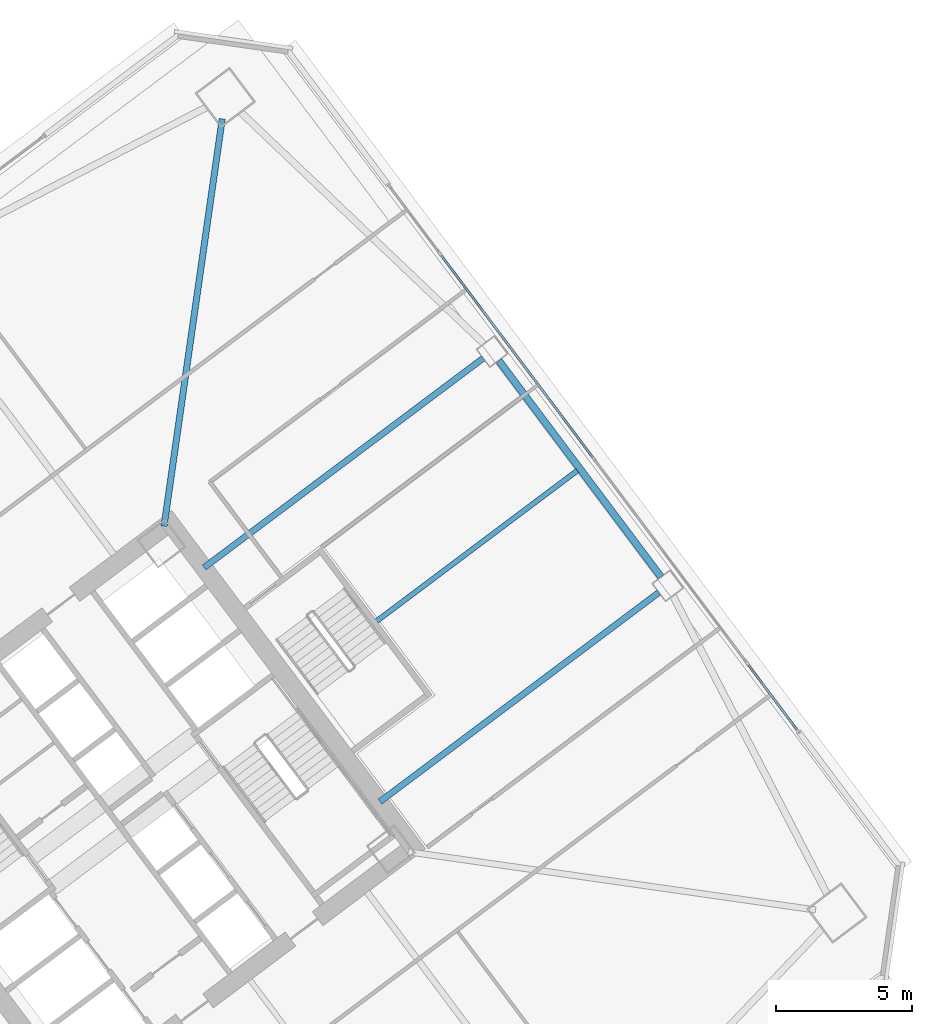
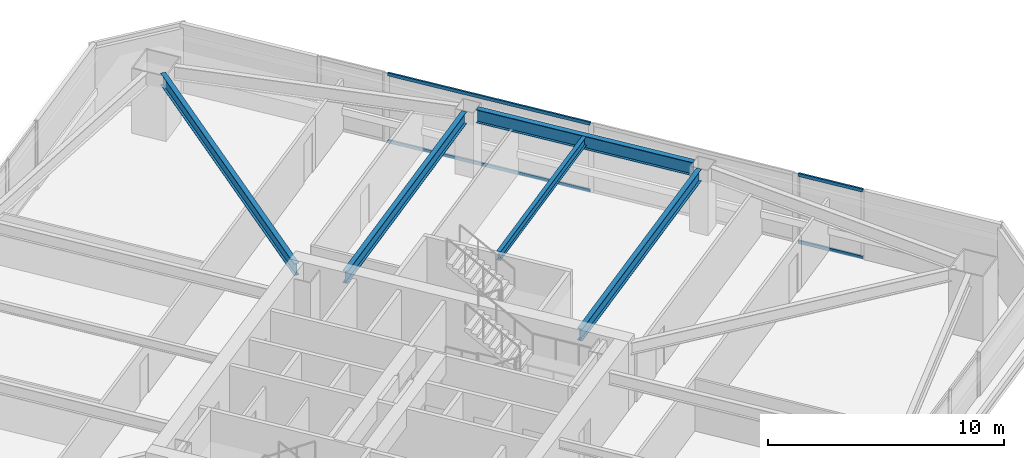
# One storey, part 32 of 48: 5 beams, 4 members, 2 elements without a shape of their own.
"""IFC4 building model written with IfcOpenShell, lengths in metres."""

from ifc_helpers import new_model, si_unit, direction, frame, origin, origin_2d, place, context, subcontext, project, spatial, hollow_rectangle, i_section, extrude, material, material_profile, profile_set, type_object, element, aggregate, save


model = new_model("IFC4")

# Units and contexts
model_context = context("Model", 3, precision=1e-05, world=origin(), true_north=direction((0.0, 1.0)))
body_context = subcontext(model_context, "Body", "Model", "MODEL_VIEW")
ifc_project = project(units=[si_unit("LENGTHUNIT", "METRE"), si_unit("AREAUNIT", "SQUARE_METRE"), si_unit("VOLUMEUNIT", "CUBIC_METRE"), si_unit("PLANEANGLEUNIT", "RADIAN"), si_unit("MASSUNIT", "GRAM", prefix="KILO")], contexts=[model_context])

# Site, building, storey
site_placement = place(None, origin())
site = spatial("IfcSite", under=ifc_project, at=site_placement, CompositionType="ELEMENT")
building_placement = place(site_placement, origin())
building = spatial("IfcBuilding", under=site, at=building_placement, Name="Tashvorn Skyway Center", CompositionType="ELEMENT")
storey_placement = place(building_placement, frame((0.0, 0.0, 56.550048828125)))
storey = spatial("IfcBuildingStorey", under=building, at=storey_placement, Name="L14", CompositionType="ELEMENT", Elevation=56.550048828125)

# Beams
ifc_material_1 = material(Name="Steel ASTM A992 Grade 50", Category="steel")
ifc_material_profile_1 = material_profile(ifc_material_1, i_section(OverallWidth=0.22998046875, OverallDepth=0.616943359375, WebThickness=0.01318359375, FlangeThickness=0.022216796875, at=origin_2d()), Name="W24X94")
ifc_profile_set_1 = profile_set([ifc_material_profile_1], Name="Steel ASTM A992 Grade 50")
beam_type_1 = type_object("IfcBeamType", Name="BM-BEAM-W24X94", PredefinedType="BEAM", material=ifc_profile_set_1)
beam_1_placement = place(storey_placement, frame((117.6474609375, 57.532958984375, 3.04150390625), z_axis=(-0.141414599991, -0.989950458816, 0.0), x_axis=(0.989950458816, -0.141414599991, 0.0)))
element("IfcBeam", 1, at=beam_1_placement, inside=storey, type_object=beam_type_1, Name="Tower 2 L14 Primary Floor Girder MC-NE", PredefinedType="BEAM", context=body_context, shape_type="SweptSolid", body=[
    extrude(i_section(OverallWidth=0.22998046875, OverallDepth=0.616943359375, WebThickness=0.01318359375, FlangeThickness=0.022216796875, at=origin_2d()), origin(), (0.0, 0.0, 1.0), 15.177001953125),
])
beam_2_placement = place(storey_placement, frame((133.743896484375, 40.05810546875, 3.04150390625), z_axis=(-0.799986320265, -0.600018239213, 0.0), x_axis=(0.600018239213, -0.799986320265, 0.0)))
element("IfcBeam", 2, at=beam_2_placement, inside=storey, type_object=beam_type_1, Name="Tower 2 L14 Primary Floor Girder FC-E1", PredefinedType="BEAM", context=body_context, shape_type="SweptSolid", body=[
    extrude(i_section(OverallWidth=0.22998046875, OverallDepth=0.616943359375, WebThickness=0.01318359375, FlangeThickness=0.022216796875, at=origin_2d()), origin(), (0.0, 0.0, 1.0), 12.849853515625),
])
beam_3_placement = place(storey_placement, frame((127.263916015625, 48.697998046875, 3.04150390625), z_axis=(-0.800002279907, -0.599996960112, 0.0), x_axis=(0.599996960112, -0.800002279907, 0.0)))
element("IfcBeam", 3, at=beam_3_placement, inside=storey, type_object=beam_type_1, Name="Tower 2 L14 Primary Floor Girder FC-E2", PredefinedType="BEAM", context=body_context, shape_type="SweptSolid", body=[
    extrude(i_section(OverallWidth=0.22998046875, OverallDepth=0.616943359375, WebThickness=0.01318359375, FlangeThickness=0.022216796875, at=origin_2d()), origin(), (0.0, 0.0, 1.0), 12.85009765625),
])
ifc_material_profile_2 = material_profile(ifc_material_1, i_section(OverallWidth=0.19091796875, OverallDepth=0.4599609375, WebThickness=0.010009765625, FlangeThickness=0.01611328125, at=origin_2d()), Name="W18X55")
ifc_profile_set_2 = profile_set([ifc_material_profile_2], Name="Steel ASTM A992 Grade 50")
beam_type_2 = type_object("IfcBeamType", Name="BM-JOIST-W18X55", PredefinedType="JOIST", material=ifc_profile_set_2)
beam_4_placement = place(storey_placement, frame((123.3359375, 39.001953125, 3.119873046875), z_axis=(0.799990508532, 0.600012655082, 0.0), x_axis=(-0.600012655082, 0.799990508532, 0.0)))
element("IfcBeam", 4, at=beam_4_placement, inside=storey, type_object=beam_type_2, Name="Tower 2 L14 Secondary Composite Joist JE", PredefinedType="JOIST", context=body_context, shape_type="SweptSolid", body=[
    extrude(i_section(OverallWidth=0.19091796875, OverallDepth=0.4599609375, WebThickness=0.010009765625, FlangeThickness=0.01611328125, at=origin_2d()), origin(), (0.0, 0.0, 1.0), 9.260009765625),
])
ifc_material_profile_3 = material_profile(ifc_material_1, i_section(OverallWidth=0.256103515625, OverallDepth=0.693115234375, WebThickness=0.014404296875, FlangeThickness=0.023681640625, at=origin_2d()), Name="W27X114")
ifc_profile_set_3 = profile_set([ifc_material_profile_3], Name="Steel ASTM A992 Grade 50")
beam_type_3 = type_object("IfcBeamType", Name="BM-SPANDREL-W27X114", PredefinedType="SPANDREL", material=ifc_profile_set_3)
beam_5_placement = place(storey_placement, frame((133.827880859375, 40.64599609375, 3.00341796875), z_axis=(-0.599988234018, 0.800008824351, 0.0), x_axis=(-0.800008824351, -0.599988234018, 0.0)))
element("IfcBeam", 5, at=beam_5_placement, inside=storey, type_object=beam_type_3, Name="Tower 2 L14 Spandrel Beam 05", PredefinedType="SPANDREL", context=body_context, shape_type="SweptSolid", body=[
    extrude(i_section(OverallWidth=0.256103515625, OverallDepth=0.693115234375, WebThickness=0.014404296875, FlangeThickness=0.023681640625, at=origin_2d()), origin(), (0.0, 0.0, 1.0), 9.9599609375),
])

# Curtain wall, members
ifc_material_2 = material(Name="Thermally broken bronze-anodized aluminium 6063-T6", Category="aluminium")
curtain_wall_type = type_object("IfcCurtainWallType", Name="CW-CW-Z1", PredefinedType="NOTDEFINED", material=ifc_material_2)
curtain_wall_1_placement = place(storey_placement, origin())
curtain_wall_1 = element("IfcCurtainWall", 6, at=curtain_wall_1_placement, inside=storey, type_object=curtain_wall_type, Name="Tower 2 L14 East Unitised Curtain Wall Glazing Group 2", PredefinedType="NOTDEFINED")
ifc_material_profile_4 = material_profile(ifc_material_2, hollow_rectangle(XDim=0.0849609375, YDim=0.1650390625, WallThickness=0.0048828125, at=origin_2d()), Name="ALU-TRAN-85x165")
ifc_profile_set_4 = profile_set([ifc_material_profile_4], Name="Thermally broken bronze-anodized aluminium 6063-T6")
member_type = type_object("IfcMemberType", Name="CWT-CW-Z1", PredefinedType="USERDEFINED", material=ifc_profile_set_4)
member_1_placement = place(storey_placement, frame((125.73095703125, 52.491943359375, 0.04248046875), z_axis=(0.600012583752, -0.799990562031, 0.0), x_axis=(0.799990562031, 0.600012583752, 0.0)))
member_1 = element("IfcMember", 7, at=member_1_placement, type_object=member_type, Name="CW-Z1 transom 1.1", ObjectType="TRANSOM", PredefinedType="USERDEFINED", context=body_context, shape_type="SweptSolid", body=[
    extrude(hollow_rectangle(XDim=0.0849609375, YDim=0.1650390625, WallThickness=0.0048828125, at=origin_2d()), origin(), (0.0, 0.0, 1.0), 9.3125),
])
member_2_placement = place(storey_placement, frame((125.73095703125, 52.491943359375, 3.507568359375), z_axis=(0.600012583752, -0.799990562031, 0.0), x_axis=(0.799990562031, 0.600012583752, 0.0)))
member_2 = element("IfcMember", 8, at=member_2_placement, type_object=member_type, Name="CW-Z1 transom 1.2", ObjectType="TRANSOM", PredefinedType="USERDEFINED", context=body_context, shape_type="SweptSolid", body=[
    extrude(hollow_rectangle(XDim=0.0849609375, YDim=0.1650390625, WallThickness=0.0048828125, at=origin_2d()), origin(), (0.0, 0.0, 1.0), 9.3125),
])
aggregate(curtain_wall_1, [member_1, member_2])

curtain_wall_2_placement = place(storey_placement, origin())
curtain_wall_2 = element("IfcCurtainWall", 9, at=curtain_wall_2_placement, inside=storey, type_object=curtain_wall_type, Name="Tower 2 L14 East Unitised Curtain Wall Glazing Group 3", PredefinedType="NOTDEFINED")
member_3_placement = place(storey_placement, frame((137.05908203125, 37.387939453125, 0.04248046875), z_axis=(0.599973753388, -0.800019684286, 0.0), x_axis=(0.800019684286, 0.599973753388, 0.0)))
member_3 = element("IfcMember", 10, at=member_3_placement, type_object=member_type, Name="CW-Z1 transom 1.1", ObjectType="TRANSOM", PredefinedType="USERDEFINED", context=body_context, shape_type="SweptSolid", body=[
    extrude(hollow_rectangle(XDim=0.0849609375, YDim=0.1650390625, WallThickness=0.0048828125, at=origin_2d()), origin(), (0.0, 0.0, 1.0), 2.9765625),
])
member_4_placement = place(storey_placement, frame((137.05908203125, 37.387939453125, 3.507568359375), z_axis=(0.599973753388, -0.800019684286, 0.0), x_axis=(0.800019684286, 0.599973753388, 0.0)))
member_4 = element("IfcMember", 11, at=member_4_placement, type_object=member_type, Name="CW-Z1 transom 1.2", ObjectType="TRANSOM", PredefinedType="USERDEFINED", context=body_context, shape_type="SweptSolid", body=[
    extrude(hollow_rectangle(XDim=0.0849609375, YDim=0.1650390625, WallThickness=0.0048828125, at=origin_2d()), origin(), (0.0, 0.0, 1.0), 2.9765625),
])
aggregate(curtain_wall_2, [member_3, member_4])

save(model, "model.ifc")
